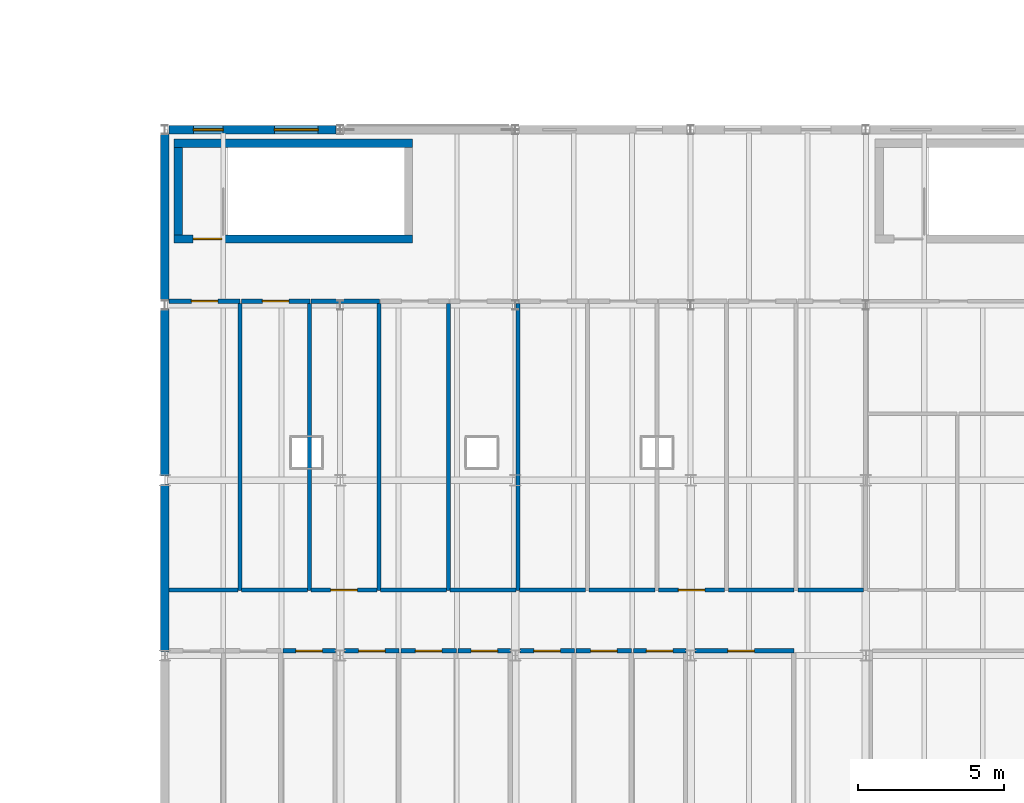
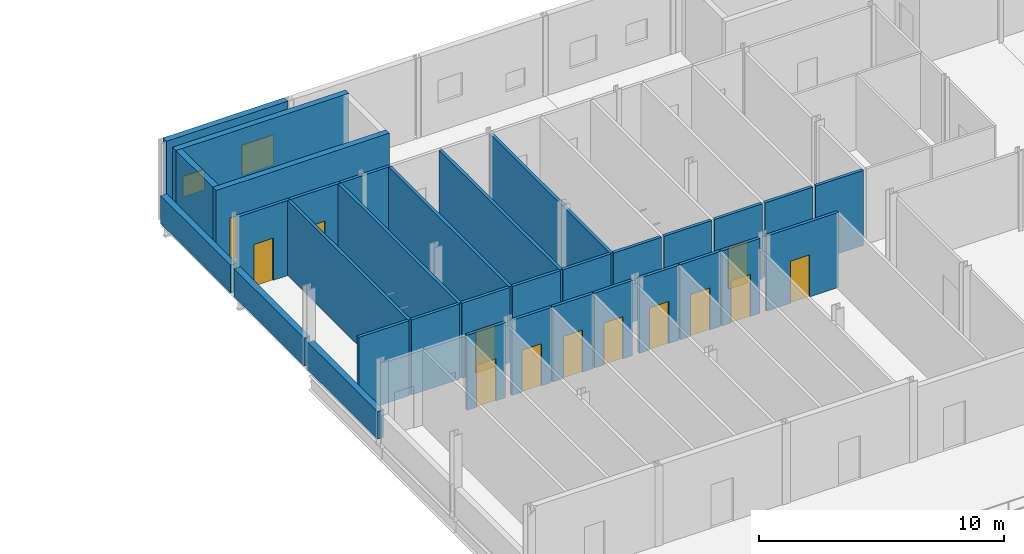
# One storey, part 31 of 45: 33 walls, 13 doors, 2 windows, 15 openings.
"""IFC4 building model written with IfcOpenShell, lengths in metres."""

from ifc_helpers import new_model, si_unit, direction, frame, frame_2d, origin, place, context, subcontext, project, spatial, rectangle, extrude, material, layer, layer_set, type_object, element, fill, save


model = new_model("IFC4")

# Units and contexts
model_context = context("Model", 3, precision=1e-05, world=origin(), true_north=direction((0.0, 1.0)))
body_context = subcontext(model_context, "Body", "Model", "MODEL_VIEW")
ifc_project = project(units=[si_unit("LENGTHUNIT", "METRE"), si_unit("AREAUNIT", "SQUARE_METRE"), si_unit("VOLUMEUNIT", "CUBIC_METRE"), si_unit("PLANEANGLEUNIT", "RADIAN"), si_unit("MASSUNIT", "GRAM", prefix="KILO")], contexts=[model_context])

# Site, building, storey
site_placement = place(None, origin())
site = spatial("IfcSite", under=ifc_project, at=site_placement, CompositionType="ELEMENT")
building_placement = place(site_placement, origin())
building = spatial("IfcBuilding", under=site, at=building_placement, Name="Siltcreek Boulevard Central Fire Station", CompositionType="ELEMENT")
storey_placement = place(building_placement, frame((0.0, 0.0, 10.0)))
storey = spatial("IfcBuildingStorey", under=building, at=storey_placement, Name="L03", CompositionType="ELEMENT", Elevation=10.0)

# Wall, opening, door
ifc_material_1 = material(Name="Concrete C40/50", Category="concrete")
ifc_layer_1 = layer(ifc_material_1, 0.280029296875, Name="Concrete C40/50")
ifc_layer_set_1 = layer_set([ifc_layer_1], Name="Concrete C40/50")
wall_type_1 = type_object("IfcWallType", Name="CW_SHEAR280", PredefinedType="SHEAR", material=ifc_layer_set_1)
wall_1_placement = place(storey_placement, frame((66.320068359375, 50.260009765625, 0.0), z_axis=(0.0, 0.0, 1.0), x_axis=(1.0, 0.0, 0.0)))
wall_1 = element("IfcWall", 1, at=wall_1_placement, inside=storey, type_object=wall_type_1, Name="L03 ST-V2C stair enclosure south shear wall", PredefinedType="SHEAR", context=body_context, shape_type="SweptSolid", body=[
    extrude(rectangle(XDim=8.159912109375, YDim=0.280029296875, at=frame_2d((4.080078125, 0.0))), origin(), (0.0, 0.0, 1.0), 3.75),
])
opening_1_placement = place(wall_1_placement, frame((0.64990234375, 0.0, 0.0)))
opening_1 = element("IfcOpeningElement", 2, at=opening_1_placement, cuts=wall_1, Name="Opening SD-017", PredefinedType="OPENING", context=body_context, shape_type="SweptSolid", body=[
    extrude(rectangle(XDim=0.97998046875, YDim=2.14990234375, at=frame_2d((0.489990234375, 1.074951171875))), frame((0.0, 0.14990234375, 0.0), z_axis=(0.0, -1.0, 0.0), x_axis=(1.0, 0.0, 0.0)), (0.0, 0.0, 1.0), 0.300048828125),
])
ifc_material_2 = material(Name="Hollow metal 90-min enclosed stair door")
door_type_1 = type_object("IfcDoorType", Name="DR_ST_098X215", OperationType="NOTDEFINED", PredefinedType="DOOR", material=ifc_material_2)
door_1_placement = place(opening_1_placement, origin())
door_1 = element("IfcDoor", 3, at=door_1_placement, inside=storey, type_object=door_type_1, Name="L03 ST-V2C enclosed exit stair door SD-017", OperationType="SINGLE_SWING_RIGHT", OverallHeight=2.14990234375, OverallWidth=0.97998046875, PredefinedType="DOOR", context=body_context, shape_type="SweptSolid", body=[
    extrude(rectangle(XDim=0.97998046875, YDim=2.14990234375, at=frame_2d((0.489990234375, 1.074951171875))), frame((0.0, 0.02490234375, 0.0), z_axis=(0.0, -1.0, 0.0), x_axis=(1.0, 0.0, 0.0)), (0.0, 0.0, 1.0), 0.050048828125),
])
fill(opening_1, door_1)

# Walls
wall_2_placement = place(storey_placement, frame((74.47998046875, 53.5400390625, 0.0), z_axis=(0.0, 0.0, 1.0), x_axis=(-1.0, 0.0, 0.0)))
element("IfcWall", 4, at=wall_2_placement, inside=storey, type_object=wall_type_1, Name="L03 ST-V2C stair enclosure north shear wall", PredefinedType="SHEAR", context=body_context, shape_type="SweptSolid", body=[
    extrude(rectangle(XDim=8.159912109375, YDim=0.280029296875, at=frame_2d((4.080078125, 0.0))), origin(), (0.0, 0.0, 1.0), 3.75),
])
wall_3_placement = place(storey_placement, frame((66.4599609375, 53.39990234375, 0.0), z_axis=(0.0, 0.0, 1.0), x_axis=(0.0, -1.0, 0.0)))
element("IfcWall", 5, at=wall_3_placement, inside=storey, type_object=wall_type_1, Name="L03 ST-V2C stair enclosure west shear wall", PredefinedType="SHEAR", context=body_context, shape_type="SweptSolid", body=[
    extrude(rectangle(XDim=3.0, YDim=0.280029296875, at=frame_2d((1.5, 0.0))), origin(), (0.0, 0.0, 1.0), 3.75),
])

# Wall, openings, windows
ifc_material_3 = material(Name="White ribbed aluminum spandrel wall", Category="aluminium")
ifc_layer_2 = layer(ifc_material_3, 0.2900390625, Name="White ribbed aluminum spandrel wall")
ifc_layer_set_2 = layer_set([ifc_layer_2], Name="White ribbed aluminum spandrel wall")
wall_type_2 = type_object("IfcWallType", Name="EW_METAL290", PredefinedType="STANDARD", material=ifc_layer_set_2)
wall_4_placement = place(storey_placement, frame((71.85498046875, 54.0, 0.0), z_axis=(0.0, 0.0, 1.0), x_axis=(-1.0, 0.0, 0.0)))
wall_4 = element("IfcWall", 6, at=wall_4_placement, inside=storey, type_object=wall_type_2, Name="L03 V2 exterior insulated rainscreen wall WL-EXT-L03-0088", PredefinedType="STANDARD", context=body_context, shape_type="SweptSolid", body=[
    extrude(rectangle(XDim=5.7099609375, YDim=0.2900390625, at=frame_2d((2.85498046875, 0.0))), origin(), (0.0, 0.0, 1.0), 4.0),
])
opening_2_placement = place(wall_4_placement, frame((0.60693359375, 0.0, 0.9599609375)))
opening_2 = element("IfcOpeningElement", 7, at=opening_2_placement, cuts=wall_4, Name="Opening WN42", PredefinedType="OPENING", context=body_context, shape_type="SweptSolid", body=[
    extrude(rectangle(XDim=1.5, YDim=1.5, at=frame_2d((0.75, 0.75))), frame((0.0, 0.155029296875, 0.0), z_axis=(0.0, -1.0, 0.0), x_axis=(1.0, 0.0, 0.0)), (0.0, 0.0, 1.0), 0.31005859375),
])
opening_3_placement = place(wall_4_placement, frame((3.855224609375, 0.0, 0.860107421875)))
opening_3 = element("IfcOpeningElement", 8, at=opening_3_placement, cuts=wall_4, Name="Opening WN38", PredefinedType="OPENING", context=body_context, shape_type="SweptSolid", body=[
    extrude(rectangle(XDim=1.02001953125, YDim=1.02001953125, at=frame_2d((0.510009765625, 0.510009765625))), frame((0.0, 0.155029296875, 0.0), z_axis=(0.0, -1.0, 0.0), x_axis=(1.0, 0.0, 0.0)), (0.0, 0.0, 1.0), 0.31005859375),
])
ifc_material_4 = material(Name="Thermally broken aluminum frame with low-E insulated glass", Category="aluminium")
window_type_1 = type_object("IfcWindowType", Name="WN_SQ_102X102", PartitioningType="SINGLE_PANEL", PredefinedType="WINDOW", material=ifc_material_4)
window_1_placement = place(opening_3_placement, origin())
window_1 = element("IfcWindow", 9, at=window_1_placement, inside=storey, type_object=window_type_1, Name="L03 V2 square exterior window WN-0068", OverallHeight=1.02001953125, OverallWidth=1.02001953125, PartitioningType="SINGLE_PANEL", PredefinedType="WINDOW", context=body_context, shape_type="SweptSolid", body=[
    extrude(rectangle(XDim=1.02001953125, YDim=1.02001953125, at=frame_2d((0.510009765625, 0.510009765625))), frame((0.0, 0.030029296875, 0.0), z_axis=(0.0, -1.0, 0.0), x_axis=(1.0, 0.0, 0.0)), (0.0, 0.0, 1.0), 0.06005859375),
])
fill(opening_3, window_1)
window_type_2 = type_object("IfcWindowType", Name="WN_SQ_150X150", PartitioningType="SINGLE_PANEL", PredefinedType="WINDOW", material=ifc_material_4)
window_2_placement = place(opening_2_placement, origin())
window_2 = element("IfcWindow", 10, at=window_2_placement, inside=storey, type_object=window_type_2, Name="L03 V2 square exterior window WN-0067", OverallHeight=1.5, OverallWidth=1.5, PartitioningType="SINGLE_PANEL", PredefinedType="WINDOW", context=body_context, shape_type="SweptSolid", body=[
    extrude(rectangle(XDim=1.5, YDim=1.5, at=frame_2d((0.75, 0.75))), frame((0.0, 0.030029296875, 0.0), z_axis=(0.0, -1.0, 0.0), x_axis=(1.0, 0.0, 0.0)), (0.0, 0.0, 1.0), 0.06005859375),
])
fill(opening_2, window_2)

# Walls
wall_5_placement = place(storey_placement, frame((66.0, 41.85498046875, 0.0), z_axis=(0.0, 0.0, 1.0), x_axis=(0.0, -1.0, 0.0)))
element("IfcWall", 11, at=wall_5_placement, inside=storey, type_object=wall_type_2, Name="L03 V2 exterior insulated rainscreen wall WL-EXT-L03-0097", PredefinedType="STANDARD", context=body_context, shape_type="SweptSolid", body=[
    extrude(rectangle(XDim=5.7099609375, YDim=0.2900390625, at=frame_2d((2.85498046875, 0.0))), origin(), (0.0, 0.0, 1.0), 1.370361328125),
])
for number, where, z_axis, x_axis, name in (
    (12, (66.0, 47.85498046875, 0.0), (0.0, 0.0, 1.0), (0.0, -1.0, 0.0), "L03 V2 exterior insulated rainscreen wall WL-EXT-L03-0098"),
    (13, (66.0, 53.85498046875, 0.0), (0.0, 0.0, 1.0), (0.0, -1.0, 0.0), "L03 V2 exterior insulated rainscreen wall WL-EXT-L03-0099"),
):
    element("IfcWall", number, at=place(storey_placement, frame(where, z_axis=z_axis, x_axis=x_axis)), inside=storey, type_object=wall_type_2, Name=name, PredefinedType="STANDARD", context=body_context, shape_type="SweptSolid", body=[
        extrude(rectangle(XDim=5.7099609375, YDim=0.2900390625, at=frame_2d((2.85498046875, 0.0))), origin(), (0.0, 0.0, 1.0), 1.39111328125),
    ])

# Wall, opening, door
ifc_material_5 = material(Name="STC-55 insulated acoustic crew bunk partition", Category="gypsum")
ifc_layer_3 = layer(ifc_material_5, 0.14501953125, Name="STC-55 insulated acoustic crew bunk partition")
ifc_layer_set_3 = layer_set([ifc_layer_3], Name="STC-55 insulated acoustic crew bunk partition")
wall_type_3 = type_object("IfcWallType", Name="IW_BUNK145", PredefinedType="PARTITIONING", material=ifc_layer_set_3)
wall_6_placement = place(storey_placement, frame((70.04248046875, 36.159912109375, 0.0), z_axis=(0.0, 0.0, 1.0), x_axis=(1.0, 0.0, 0.0)))
wall_6 = element("IfcWall", 14, at=wall_6_placement, inside=storey, type_object=wall_type_3, Name="L03 Crew Bunk Room 03 partition 0207", PredefinedType="PARTITIONING", context=body_context, shape_type="SweptSolid", body=[
    extrude(rectangle(XDim=1.800048828125, YDim=0.14501953125, at=frame_2d((0.89990234375, 0.0))), origin(), (0.0, 0.0, 1.0), 3.739990234375),
])
opening_4_placement = place(wall_6_placement, frame((0.445068359375, 0.0, 0.0)))
opening_4 = element("IfcOpeningElement", 15, at=opening_4_placement, cuts=wall_6, Name="Opening ID04", PredefinedType="OPENING", context=body_context, shape_type="SweptSolid", body=[
    extrude(rectangle(XDim=0.909912109375, YDim=2.10009765625, at=frame_2d((0.455078125, 1.050048828125))), frame((0.0, 0.08251953125, 0.0), z_axis=(0.0, -1.0, 0.0), x_axis=(1.0, 0.0, 0.0)), (0.0, 0.0, 1.0), 0.1650390625),
])
ifc_material_6 = material(Name="STC-45 acoustic crew bunk room door")
door_type_2 = type_object("IfcDoorType", Name="DR_BNK_091X210", OperationType="NOTDEFINED", PredefinedType="DOOR", material=ifc_material_6)
door_2_placement = place(opening_4_placement, frame((0.909912109375, 0.0, 0.0), z_axis=(0.0, 0.0, 1.0), x_axis=(-1.0, 0.0, 0.0)))
door_2 = element("IfcDoor", 16, at=door_2_placement, inside=storey, type_object=door_type_2, Name="L03 Crew Bunk Room 03 door ID-0095", OperationType="SINGLE_SWING_RIGHT", OverallHeight=2.10009765625, OverallWidth=0.909912109375, PredefinedType="DOOR", context=body_context, shape_type="SweptSolid", body=[
    extrude(rectangle(XDim=0.909912109375, YDim=2.10009765625, at=frame_2d((0.455078125, 1.050048828125))), frame((0.0, 0.02490234375, 0.0), z_axis=(0.0, -1.0, 0.0), x_axis=(1.0, 0.0, 0.0)), (0.0, 0.0, 1.0), 0.050048828125),
])
fill(opening_4, door_2)

wall_7_placement = place(storey_placement, frame((72.157470703125, 36.159912109375, 0.0), z_axis=(0.0, 0.0, 1.0), x_axis=(1.0, 0.0, 0.0)))
wall_7 = element("IfcWall", 17, at=wall_7_placement, inside=storey, type_object=wall_type_3, Name="L03 Crew Bunk Room 04 partition 0209", PredefinedType="PARTITIONING", context=body_context, shape_type="SweptSolid", body=[
    extrude(rectangle(XDim=1.864990234375, YDim=0.14501953125, at=frame_2d((0.9326171875, 0.0))), origin(), (0.0, 0.0, 1.0), 3.739990234375),
])
opening_5_placement = place(wall_7_placement, frame((0.4775390625, 0.0, 0.0)))
opening_5 = element("IfcOpeningElement", 18, at=opening_5_placement, cuts=wall_7, Name="Opening ID04", PredefinedType="OPENING", context=body_context, shape_type="SweptSolid", body=[
    extrude(rectangle(XDim=0.909912109375, YDim=2.10009765625, at=frame_2d((0.455078125, 1.050048828125))), frame((0.0, 0.08251953125, 0.0), z_axis=(0.0, -1.0, 0.0), x_axis=(1.0, 0.0, 0.0)), (0.0, 0.0, 1.0), 0.1650390625),
])
door_3_placement = place(opening_5_placement, frame((0.909912109375, 0.0, 0.0), z_axis=(0.0, 0.0, 1.0), x_axis=(-1.0, 0.0, 0.0)))
door_3 = element("IfcDoor", 19, at=door_3_placement, inside=storey, type_object=door_type_2, Name="L03 Crew Bunk Room 04 door ID-0096", OperationType="SINGLE_SWING_LEFT", OverallHeight=2.10009765625, OverallWidth=0.909912109375, PredefinedType="DOOR", context=body_context, shape_type="SweptSolid", body=[
    extrude(rectangle(XDim=0.909912109375, YDim=2.10009765625, at=frame_2d((0.455078125, 1.050048828125))), frame((0.0, 0.02490234375, 0.0), z_axis=(0.0, -1.0, 0.0), x_axis=(1.0, 0.0, 0.0)), (0.0, 0.0, 1.0), 0.050048828125),
])
fill(opening_5, door_3)

wall_8_placement = place(storey_placement, frame((74.08251953125, 36.159912109375, 0.0), z_axis=(0.0, 0.0, 1.0), x_axis=(1.0, 0.0, 0.0)))
wall_8 = element("IfcWall", 20, at=wall_8_placement, inside=storey, type_object=wall_type_3, Name="L03 Crew Bunk Room 05 partition 0211", PredefinedType="PARTITIONING", context=body_context, shape_type="SweptSolid", body=[
    extrude(rectangle(XDim=1.89990234375, YDim=0.14501953125, at=frame_2d((0.949951171875, 0.0))), origin(), (0.0, 0.0, 1.0), 3.739990234375),
])
opening_6_placement = place(wall_8_placement, frame((0.4951171875, 0.0, 0.0)))
opening_6 = element("IfcOpeningElement", 21, at=opening_6_placement, cuts=wall_8, Name="Opening ID04", PredefinedType="OPENING", context=body_context, shape_type="SweptSolid", body=[
    extrude(rectangle(XDim=0.909912109375, YDim=2.10009765625, at=frame_2d((0.455078125, 1.050048828125))), frame((0.0, 0.08251953125, 0.0), z_axis=(0.0, -1.0, 0.0), x_axis=(1.0, 0.0, 0.0)), (0.0, 0.0, 1.0), 0.1650390625),
])
door_4_placement = place(opening_6_placement, frame((0.909912109375, 0.0, 0.0), z_axis=(0.0, 0.0, 1.0), x_axis=(-1.0, 0.0, 0.0)))
door_4 = element("IfcDoor", 22, at=door_4_placement, inside=storey, type_object=door_type_2, Name="L03 Crew Bunk Room 05 door ID-0097", OperationType="SINGLE_SWING_RIGHT", OverallHeight=2.10009765625, OverallWidth=0.909912109375, PredefinedType="DOOR", context=body_context, shape_type="SweptSolid", body=[
    extrude(rectangle(XDim=0.909912109375, YDim=2.10009765625, at=frame_2d((0.455078125, 1.050048828125))), frame((0.0, 0.02490234375, 0.0), z_axis=(0.0, -1.0, 0.0), x_axis=(1.0, 0.0, 0.0)), (0.0, 0.0, 1.0), 0.050048828125),
])
fill(opening_6, door_4)

wall_9_placement = place(storey_placement, frame((76.04248046875, 36.159912109375, 0.0), z_axis=(0.0, 0.0, 1.0), x_axis=(1.0, 0.0, 0.0)))
wall_9 = element("IfcWall", 23, at=wall_9_placement, inside=storey, type_object=wall_type_3, Name="L03 Crew Bunk Room 06 partition 0213", PredefinedType="PARTITIONING", context=body_context, shape_type="SweptSolid", body=[
    extrude(rectangle(XDim=1.800048828125, YDim=0.14501953125, at=frame_2d((0.89990234375, 0.0))), origin(), (0.0, 0.0, 1.0), 3.739990234375),
])
opening_7_placement = place(wall_9_placement, frame((0.445068359375, 0.0, 0.0)))
opening_7 = element("IfcOpeningElement", 24, at=opening_7_placement, cuts=wall_9, Name="Opening ID04", PredefinedType="OPENING", context=body_context, shape_type="SweptSolid", body=[
    extrude(rectangle(XDim=0.909912109375, YDim=2.10009765625, at=frame_2d((0.455078125, 1.050048828125))), frame((0.0, 0.08251953125, 0.0), z_axis=(0.0, -1.0, 0.0), x_axis=(1.0, 0.0, 0.0)), (0.0, 0.0, 1.0), 0.1650390625),
])
door_5_placement = place(opening_7_placement, frame((0.909912109375, 0.0, 0.0), z_axis=(0.0, 0.0, 1.0), x_axis=(-1.0, 0.0, 0.0)))
door_5 = element("IfcDoor", 25, at=door_5_placement, inside=storey, type_object=door_type_2, Name="L03 Crew Bunk Room 06 door ID-0098", OperationType="SINGLE_SWING_LEFT", OverallHeight=2.10009765625, OverallWidth=0.909912109375, PredefinedType="DOOR", context=body_context, shape_type="SweptSolid", body=[
    extrude(rectangle(XDim=0.909912109375, YDim=2.10009765625, at=frame_2d((0.455078125, 1.050048828125))), frame((0.0, 0.02490234375, 0.0), z_axis=(0.0, -1.0, 0.0), x_axis=(1.0, 0.0, 0.0)), (0.0, 0.0, 1.0), 0.050048828125),
])
fill(opening_7, door_5)

wall_10_placement = place(storey_placement, frame((78.157470703125, 36.159912109375, 0.0), z_axis=(0.0, 0.0, 1.0), x_axis=(1.0, 0.0, 0.0)))
wall_10 = element("IfcWall", 26, at=wall_10_placement, inside=storey, type_object=wall_type_3, Name="L03 Crew Bunk Room 07 partition 0215", PredefinedType="PARTITIONING", context=body_context, shape_type="SweptSolid", body=[
    extrude(rectangle(XDim=1.864990234375, YDim=0.14501953125, at=frame_2d((0.9326171875, 0.0))), origin(), (0.0, 0.0, 1.0), 3.739990234375),
])
opening_8_placement = place(wall_10_placement, frame((0.4775390625, 0.0, 0.0)))
opening_8 = element("IfcOpeningElement", 27, at=opening_8_placement, cuts=wall_10, Name="Opening ID04", PredefinedType="OPENING", context=body_context, shape_type="SweptSolid", body=[
    extrude(rectangle(XDim=0.909912109375, YDim=2.10009765625, at=frame_2d((0.455078125, 1.050048828125))), frame((0.0, 0.08251953125, 0.0), z_axis=(0.0, -1.0, 0.0), x_axis=(1.0, 0.0, 0.0)), (0.0, 0.0, 1.0), 0.1650390625),
])
door_6_placement = place(opening_8_placement, frame((0.909912109375, 0.0, 0.0), z_axis=(0.0, 0.0, 1.0), x_axis=(-1.0, 0.0, 0.0)))
door_6 = element("IfcDoor", 28, at=door_6_placement, inside=storey, type_object=door_type_2, Name="L03 Crew Bunk Room 07 door ID-0099", OperationType="SINGLE_SWING_RIGHT", OverallHeight=2.10009765625, OverallWidth=0.909912109375, PredefinedType="DOOR", context=body_context, shape_type="SweptSolid", body=[
    extrude(rectangle(XDim=0.909912109375, YDim=2.10009765625, at=frame_2d((0.455078125, 1.050048828125))), frame((0.0, 0.02490234375, 0.0), z_axis=(0.0, -1.0, 0.0), x_axis=(1.0, 0.0, 0.0)), (0.0, 0.0, 1.0), 0.050048828125),
])
fill(opening_8, door_6)

wall_11_placement = place(storey_placement, frame((80.08251953125, 36.159912109375, 0.0), z_axis=(0.0, 0.0, 1.0), x_axis=(1.0, 0.0, 0.0)))
wall_11 = element("IfcWall", 29, at=wall_11_placement, inside=storey, type_object=wall_type_3, Name="L03 Crew Bunk Room 08 partition 0217", PredefinedType="PARTITIONING", context=body_context, shape_type="SweptSolid", body=[
    extrude(rectangle(XDim=1.89990234375, YDim=0.14501953125, at=frame_2d((0.949951171875, 0.0))), origin(), (0.0, 0.0, 1.0), 3.739990234375),
])
opening_9_placement = place(wall_11_placement, frame((0.4951171875, 0.0, 0.0)))
opening_9 = element("IfcOpeningElement", 30, at=opening_9_placement, cuts=wall_11, Name="Opening ID04", PredefinedType="OPENING", context=body_context, shape_type="SweptSolid", body=[
    extrude(rectangle(XDim=0.909912109375, YDim=2.10009765625, at=frame_2d((0.455078125, 1.050048828125))), frame((0.0, 0.08251953125, 0.0), z_axis=(0.0, -1.0, 0.0), x_axis=(1.0, 0.0, 0.0)), (0.0, 0.0, 1.0), 0.1650390625),
])
door_7_placement = place(opening_9_placement, frame((0.909912109375, 0.0, 0.0), z_axis=(0.0, 0.0, 1.0), x_axis=(-1.0, 0.0, 0.0)))
door_7 = element("IfcDoor", 31, at=door_7_placement, inside=storey, type_object=door_type_2, Name="L03 Crew Bunk Room 08 door ID-0100", OperationType="SINGLE_SWING_LEFT", OverallHeight=2.10009765625, OverallWidth=0.909912109375, PredefinedType="DOOR", context=body_context, shape_type="SweptSolid", body=[
    extrude(rectangle(XDim=0.909912109375, YDim=2.10009765625, at=frame_2d((0.455078125, 1.050048828125))), frame((0.0, 0.02490234375, 0.0), z_axis=(0.0, -1.0, 0.0), x_axis=(1.0, 0.0, 0.0)), (0.0, 0.0, 1.0), 0.050048828125),
])
fill(opening_9, door_7)

wall_12_placement = place(storey_placement, frame((82.04248046875, 36.159912109375, 0.0), z_axis=(0.0, 0.0, 1.0), x_axis=(1.0, 0.0, 0.0)))
wall_12 = element("IfcWall", 32, at=wall_12_placement, inside=storey, type_object=wall_type_3, Name="L03 Crew Bunk Room 09 partition 0219", PredefinedType="PARTITIONING", context=body_context, shape_type="SweptSolid", body=[
    extrude(rectangle(XDim=1.800048828125, YDim=0.14501953125, at=frame_2d((0.89990234375, 0.0))), origin(), (0.0, 0.0, 1.0), 3.739990234375),
])
opening_10_placement = place(wall_12_placement, frame((0.445068359375, 0.0, 0.0)))
opening_10 = element("IfcOpeningElement", 33, at=opening_10_placement, cuts=wall_12, Name="Opening ID04", PredefinedType="OPENING", context=body_context, shape_type="SweptSolid", body=[
    extrude(rectangle(XDim=0.909912109375, YDim=2.10009765625, at=frame_2d((0.455078125, 1.050048828125))), frame((0.0, 0.08251953125, 0.0), z_axis=(0.0, -1.0, 0.0), x_axis=(1.0, 0.0, 0.0)), (0.0, 0.0, 1.0), 0.1650390625),
])
door_8_placement = place(opening_10_placement, frame((0.909912109375, 0.0, 0.0), z_axis=(0.0, 0.0, 1.0), x_axis=(-1.0, 0.0, 0.0)))
door_8 = element("IfcDoor", 34, at=door_8_placement, inside=storey, type_object=door_type_2, Name="L03 Crew Bunk Room 09 door ID-0101", OperationType="SINGLE_SWING_RIGHT", OverallHeight=2.10009765625, OverallWidth=0.909912109375, PredefinedType="DOOR", context=body_context, shape_type="SweptSolid", body=[
    extrude(rectangle(XDim=0.909912109375, YDim=2.10009765625, at=frame_2d((0.455078125, 1.050048828125))), frame((0.0, 0.02490234375, 0.0), z_axis=(0.0, -1.0, 0.0), x_axis=(1.0, 0.0, 0.0)), (0.0, 0.0, 1.0), 0.050048828125),
])
fill(opening_10, door_8)

wall_13_placement = place(storey_placement, frame((84.157470703125, 36.159912109375, 0.0), z_axis=(0.0, 0.0, 1.0), x_axis=(1.0, 0.0, 0.0)))
wall_13 = element("IfcWall", 35, at=wall_13_placement, inside=storey, type_object=wall_type_3, Name="L03 Crew Bunk Room 10 partition 0221", PredefinedType="PARTITIONING", context=body_context, shape_type="SweptSolid", body=[
    extrude(rectangle(XDim=3.385009765625, YDim=0.14501953125, at=frame_2d((1.6923828125, 0.0))), origin(), (0.0, 0.0, 1.0), 3.739990234375),
])
opening_11_placement = place(wall_13_placement, frame((1.117919921875, 0.0, 0.0)))
opening_11 = element("IfcOpeningElement", 36, at=opening_11_placement, cuts=wall_13, Name="Opening ID04", PredefinedType="OPENING", context=body_context, shape_type="SweptSolid", body=[
    extrude(rectangle(XDim=0.909912109375, YDim=2.10009765625, at=frame_2d((0.455078125, 1.050048828125))), frame((0.0, 0.08251953125, 0.0), z_axis=(0.0, -1.0, 0.0), x_axis=(1.0, 0.0, 0.0)), (0.0, 0.0, 1.0), 0.1650390625),
])
door_9_placement = place(opening_11_placement, frame((0.909912109375, 0.0, 0.0), z_axis=(0.0, 0.0, 1.0), x_axis=(-1.0, 0.0, 0.0)))
door_9 = element("IfcDoor", 37, at=door_9_placement, inside=storey, type_object=door_type_2, Name="L03 Crew Bunk Room 10 door ID-0102", OperationType="SINGLE_SWING_LEFT", OverallHeight=2.10009765625, OverallWidth=0.909912109375, PredefinedType="DOOR", context=body_context, shape_type="SweptSolid", body=[
    extrude(rectangle(XDim=0.909912109375, YDim=2.10009765625, at=frame_2d((0.455078125, 1.050048828125))), frame((0.0, 0.02490234375, 0.0), z_axis=(0.0, -1.0, 0.0), x_axis=(1.0, 0.0, 0.0)), (0.0, 0.0, 1.0), 0.050048828125),
])
fill(opening_11, door_9)

wall_14_placement = place(storey_placement, frame((66.14501953125, 48.1298828125, 0.0), z_axis=(0.0, 0.0, 1.0), x_axis=(1.0, 0.0, 0.0)))
wall_14 = element("IfcWall", 38, at=wall_14_placement, inside=storey, type_object=wall_type_3, Name="L03 Crew Bunk Room 11 partition 0223", PredefinedType="PARTITIONING", context=body_context, shape_type="SweptSolid", body=[
    extrude(rectangle(XDim=2.4375, YDim=0.14501953125, at=frame_2d((1.21875, 0.0))), origin(), (0.0, 0.0, 1.0), 3.739990234375),
])
opening_12_placement = place(wall_14_placement, frame((0.763671875, 0.0, 0.0)))
opening_12 = element("IfcOpeningElement", 39, at=opening_12_placement, cuts=wall_14, Name="Opening ID04", PredefinedType="OPENING", context=body_context, shape_type="SweptSolid", body=[
    extrude(rectangle(XDim=0.909912109375, YDim=2.10009765625, at=frame_2d((0.455078125, 1.050048828125))), frame((0.0, 0.08251953125, 0.0), z_axis=(0.0, -1.0, 0.0), x_axis=(1.0, 0.0, 0.0)), (0.0, 0.0, 1.0), 0.1650390625),
])
door_10_placement = place(opening_12_placement, frame((0.909912109375, 0.0, 0.0), z_axis=(0.0, 0.0, 1.0), x_axis=(-1.0, 0.0, 0.0)))
door_10 = element("IfcDoor", 40, at=door_10_placement, inside=storey, type_object=door_type_2, Name="L03 Crew Bunk Room 11 door ID-0103", OperationType="SINGLE_SWING_RIGHT", OverallHeight=2.10009765625, OverallWidth=0.909912109375, PredefinedType="DOOR", context=body_context, shape_type="SweptSolid", body=[
    extrude(rectangle(XDim=0.909912109375, YDim=2.10009765625, at=frame_2d((0.455078125, 1.050048828125))), frame((0.0, 0.02490234375, 0.0), z_axis=(0.0, -1.0, 0.0), x_axis=(1.0, 0.0, 0.0)), (0.0, 0.0, 1.0), 0.050048828125),
])
fill(opening_12, door_10)

# Walls
wall_15_placement = place(storey_placement, frame((68.570068359375, 48.0576171875, 0.0), z_axis=(0.0, 0.0, 1.0), x_axis=(0.0, -1.0, 0.0)))
element("IfcWall", 41, at=wall_15_placement, inside=storey, type_object=wall_type_3, Name="L03 Crew Bunk Room 11 partition 0224", PredefinedType="PARTITIONING", context=body_context, shape_type="SweptSolid", body=[
    extrude(rectangle(XDim=9.830078125, YDim=0.14501953125, at=frame_2d((4.9150390625, 0.0))), origin(), (0.0, 0.0, 1.0), 3.739990234375),
])
wall_16_placement = place(storey_placement, frame((68.49755859375, 38.239990234375, 0.0), z_axis=(0.0, 0.0, 1.0), x_axis=(-1.0, 0.0, 0.0)))
element("IfcWall", 42, at=wall_16_placement, inside=storey, type_object=wall_type_3, Name="L03 Crew Bunk Room 11 partition 0225", PredefinedType="PARTITIONING", context=body_context, shape_type="SweptSolid", body=[
    extrude(rectangle(XDim=2.3525390625, YDim=0.14501953125, at=frame_2d((1.17626953125, 0.0))), origin(), (0.0, 0.0, 1.0), 3.739990234375),
])

# Wall, opening, door
wall_17_placement = place(storey_placement, frame((68.6298828125, 48.1298828125, 0.0), z_axis=(0.0, 0.0, 1.0), x_axis=(1.0, 0.0, 0.0)))
wall_17 = element("IfcWall", 43, at=wall_17_placement, inside=storey, type_object=wall_type_3, Name="L03 Crew Bunk Room 12 partition 0226", PredefinedType="PARTITIONING", context=body_context, shape_type="SweptSolid", body=[
    extrude(rectangle(XDim=2.33251953125, YDim=0.14501953125, at=frame_2d((1.166259765625, 0.0))), origin(), (0.0, 0.0, 1.0), 3.739990234375),
])
opening_13_placement = place(wall_17_placement, frame((0.711181640625, 0.0, 0.0)))
opening_13 = element("IfcOpeningElement", 44, at=opening_13_placement, cuts=wall_17, Name="Opening ID04", PredefinedType="OPENING", context=body_context, shape_type="SweptSolid", body=[
    extrude(rectangle(XDim=0.909912109375, YDim=2.10009765625, at=frame_2d((0.455078125, 1.050048828125))), frame((0.0, 0.08251953125, 0.0), z_axis=(0.0, -1.0, 0.0), x_axis=(1.0, 0.0, 0.0)), (0.0, 0.0, 1.0), 0.1650390625),
])
door_11_placement = place(opening_13_placement, frame((0.909912109375, 0.0, 0.0), z_axis=(0.0, 0.0, 1.0), x_axis=(-1.0, 0.0, 0.0)))
door_11 = element("IfcDoor", 45, at=door_11_placement, inside=storey, type_object=door_type_2, Name="L03 Crew Bunk Room 12 door ID-0104", OperationType="SINGLE_SWING_LEFT", OverallHeight=2.10009765625, OverallWidth=0.909912109375, PredefinedType="DOOR", context=body_context, shape_type="SweptSolid", body=[
    extrude(rectangle(XDim=0.909912109375, YDim=2.10009765625, at=frame_2d((0.455078125, 1.050048828125))), frame((0.0, 0.02490234375, 0.0), z_axis=(0.0, -1.0, 0.0), x_axis=(1.0, 0.0, 0.0)), (0.0, 0.0, 1.0), 0.050048828125),
])
fill(opening_13, door_11)

# Walls
wall_18_placement = place(storey_placement, frame((70.949951171875, 48.0576171875, 0.0), z_axis=(0.0, 0.0, 1.0), x_axis=(0.0, -1.0, 0.0)))
element("IfcWall", 46, at=wall_18_placement, inside=storey, type_object=wall_type_3, Name="L03 Crew Bunk Room 12 partition 0227", PredefinedType="PARTITIONING", context=body_context, shape_type="SweptSolid", body=[
    extrude(rectangle(XDim=9.830078125, YDim=0.14501953125, at=frame_2d((4.9150390625, 0.0))), origin(), (0.0, 0.0, 1.0), 3.739990234375),
])
wall_19_placement = place(storey_placement, frame((70.87744140625, 38.239990234375, 0.0), z_axis=(0.0, 0.0, 1.0), x_axis=(-1.0, 0.0, 0.0)))
element("IfcWall", 47, at=wall_19_placement, inside=storey, type_object=wall_type_3, Name="L03 Crew Bunk Room 12 partition 0228", PredefinedType="PARTITIONING", context=body_context, shape_type="SweptSolid", body=[
    extrude(rectangle(XDim=2.24755859375, YDim=0.14501953125, at=frame_2d((1.123779296875, 0.0))), origin(), (0.0, 0.0, 1.0), 3.739990234375),
])
wall_20_placement = place(storey_placement, frame((71.010009765625, 48.1298828125, 0.0), z_axis=(0.0, 0.0, 1.0), x_axis=(1.0, 0.0, 0.0)))
element("IfcWall", 48, at=wall_20_placement, inside=storey, type_object=wall_type_3, Name="L03 Crew Bunk Room 13 partition 0229", PredefinedType="PARTITIONING", context=body_context, shape_type="SweptSolid", body=[
    extrude(rectangle(XDim=2.33251953125, YDim=0.14501953125, at=frame_2d((1.166259765625, 0.0))), origin(), (0.0, 0.0, 1.0), 3.739990234375),
])
wall_21_placement = place(storey_placement, frame((73.330078125, 48.0576171875, 0.0), z_axis=(0.0, 0.0, 1.0), x_axis=(0.0, -1.0, 0.0)))
element("IfcWall", 49, at=wall_21_placement, inside=storey, type_object=wall_type_3, Name="L03 Crew Bunk Room 13 partition 0230", PredefinedType="PARTITIONING", context=body_context, shape_type="SweptSolid", body=[
    extrude(rectangle(XDim=9.830078125, YDim=0.14501953125, at=frame_2d((4.9150390625, 0.0))), origin(), (0.0, 0.0, 1.0), 3.739990234375),
])

# Wall, opening, door
wall_22_placement = place(storey_placement, frame((73.257568359375, 38.239990234375, 0.0), z_axis=(0.0, 0.0, 1.0), x_axis=(-1.0, 0.0, 0.0)))
wall_22 = element("IfcWall", 50, at=wall_22_placement, inside=storey, type_object=wall_type_3, Name="L03 Crew Bunk Room 13 partition 0231", PredefinedType="PARTITIONING", context=body_context, shape_type="SweptSolid", body=[
    extrude(rectangle(XDim=2.24755859375, YDim=0.14501953125, at=frame_2d((1.123779296875, 0.0))), origin(), (0.0, 0.0, 1.0), 3.739990234375),
])
opening_14_placement = place(wall_22_placement, frame((0.668701171875, 0.0, 0.0)))
opening_14 = element("IfcOpeningElement", 51, at=opening_14_placement, cuts=wall_22, Name="Opening ID04", PredefinedType="OPENING", context=body_context, shape_type="SweptSolid", body=[
    extrude(rectangle(XDim=0.909912109375, YDim=2.10009765625, at=frame_2d((0.455078125, 1.050048828125))), frame((0.0, 0.08251953125, 0.0), z_axis=(0.0, -1.0, 0.0), x_axis=(1.0, 0.0, 0.0)), (0.0, 0.0, 1.0), 0.1650390625),
])
door_12_placement = place(opening_14_placement, frame((0.909912109375, 0.0, 0.0), z_axis=(0.0, 0.0, 1.0), x_axis=(-1.0, 0.0, 0.0)))
door_12 = element("IfcDoor", 52, at=door_12_placement, inside=storey, type_object=door_type_2, Name="L03 Crew Bunk Room 13 door ID-0105", OperationType="SINGLE_SWING_RIGHT", OverallHeight=2.10009765625, OverallWidth=0.909912109375, PredefinedType="DOOR", context=body_context, shape_type="SweptSolid", body=[
    extrude(rectangle(XDim=0.909912109375, YDim=2.10009765625, at=frame_2d((0.455078125, 1.050048828125))), frame((0.0, 0.02490234375, 0.0), z_axis=(0.0, -1.0, 0.0), x_axis=(1.0, 0.0, 0.0)), (0.0, 0.0, 1.0), 0.050048828125),
])
fill(opening_14, door_12)

# Walls
wall_23_placement = place(storey_placement, frame((75.7099609375, 48.0576171875, 0.0), z_axis=(0.0, 0.0, 1.0), x_axis=(0.0, -1.0, 0.0)))
element("IfcWall", 53, at=wall_23_placement, inside=storey, type_object=wall_type_3, Name="L03 Crew Bunk Room 14 partition 0233", PredefinedType="PARTITIONING", context=body_context, shape_type="SweptSolid", body=[
    extrude(rectangle(XDim=9.830078125, YDim=0.14501953125, at=frame_2d((4.9150390625, 0.0))), origin(), (0.0, 0.0, 1.0), 3.739990234375),
])
wall_24_placement = place(storey_placement, frame((75.637451171875, 38.239990234375, 0.0), z_axis=(0.0, 0.0, 1.0), x_axis=(-1.0, 0.0, 0.0)))
element("IfcWall", 54, at=wall_24_placement, inside=storey, type_object=wall_type_3, Name="L03 Crew Bunk Room 14 partition 0234", PredefinedType="PARTITIONING", context=body_context, shape_type="SweptSolid", body=[
    extrude(rectangle(XDim=2.24755859375, YDim=0.14501953125, at=frame_2d((1.123779296875, 0.0))), origin(), (0.0, 0.0, 1.0), 3.739990234375),
])
wall_25_placement = place(storey_placement, frame((78.090087890625, 48.0576171875, 0.0), z_axis=(0.0, 0.0, 1.0), x_axis=(0.0, -1.0, 0.0)))
element("IfcWall", 55, at=wall_25_placement, inside=storey, type_object=wall_type_3, Name="L03 Crew Bunk Room 15 partition 0236", PredefinedType="PARTITIONING", context=body_context, shape_type="SweptSolid", body=[
    extrude(rectangle(XDim=9.830078125, YDim=0.14501953125, at=frame_2d((4.9150390625, 0.0))), origin(), (0.0, 0.0, 1.0), 3.739990234375),
])
for number, where, z_axis, x_axis, name in (
    (56, (78.017578125, 38.239990234375, 0.0), (0.0, 0.0, 1.0), (-1.0, 0.0, 0.0), "L03 Crew Bunk Room 15 partition 0237"),
    (57, (80.3974609375, 38.239990234375, 0.0), (0.0, 0.0, 1.0), (-1.0, 0.0, 0.0), "L03 Crew Bunk Room 16 partition 0240"),
    (58, (82.777587890625, 38.239990234375, 0.0), (0.0, 0.0, 1.0), (-1.0, 0.0, 0.0), "L03 Crew Bunk Room 17 partition 0243"),
):
    element("IfcWall", number, at=place(storey_placement, frame(where, z_axis=z_axis, x_axis=x_axis)), inside=storey, type_object=wall_type_3, Name=name, PredefinedType="PARTITIONING", context=body_context, shape_type="SweptSolid", body=[
        extrude(rectangle(XDim=2.24755859375, YDim=0.14501953125, at=frame_2d((1.123779296875, 0.0))), origin(), (0.0, 0.0, 1.0), 3.739990234375),
    ])

# Wall, opening, door
wall_26_placement = place(storey_placement, frame((85.157470703125, 38.239990234375, 0.0), z_axis=(0.0, 0.0, 1.0), x_axis=(-1.0, 0.0, 0.0)))
wall_26 = element("IfcWall", 59, at=wall_26_placement, inside=storey, type_object=wall_type_3, Name="L03 Crew Bunk Room 18 partition 0246", PredefinedType="PARTITIONING", context=body_context, shape_type="SweptSolid", body=[
    extrude(rectangle(XDim=2.24755859375, YDim=0.14501953125, at=frame_2d((1.123779296875, 0.0))), origin(), (0.0, 0.0, 1.0), 3.739990234375),
])
opening_15_placement = place(wall_26_placement, frame((0.668701171875, 0.0, 0.0)))
opening_15 = element("IfcOpeningElement", 60, at=opening_15_placement, cuts=wall_26, Name="Opening ID04", PredefinedType="OPENING", context=body_context, shape_type="SweptSolid", body=[
    extrude(rectangle(XDim=0.909912109375, YDim=2.10009765625, at=frame_2d((0.455078125, 1.050048828125))), frame((0.0, 0.08251953125, 0.0), z_axis=(0.0, -1.0, 0.0), x_axis=(1.0, 0.0, 0.0)), (0.0, 0.0, 1.0), 0.1650390625),
])
door_13_placement = place(opening_15_placement, frame((0.909912109375, 0.0, 0.0), z_axis=(0.0, 0.0, 1.0), x_axis=(-1.0, 0.0, 0.0)))
door_13 = element("IfcDoor", 61, at=door_13_placement, inside=storey, type_object=door_type_2, Name="L03 Crew Bunk Room 18 door ID-0110", OperationType="SINGLE_SWING_LEFT", OverallHeight=2.10009765625, OverallWidth=0.909912109375, PredefinedType="DOOR", context=body_context, shape_type="SweptSolid", body=[
    extrude(rectangle(XDim=0.909912109375, YDim=2.10009765625, at=frame_2d((0.455078125, 1.050048828125))), frame((0.0, 0.02490234375, 0.0), z_axis=(0.0, -1.0, 0.0), x_axis=(1.0, 0.0, 0.0)), (0.0, 0.0, 1.0), 0.050048828125),
])
fill(opening_15, door_13)

# Walls
for number, where, z_axis, x_axis, name in (
    (62, (87.53759765625, 38.239990234375, 0.0), (0.0, 0.0, 1.0), (-1.0, 0.0, 0.0), "L03 Crew Bunk Room 19 partition 0249"),
    (63, (89.91748046875, 38.239990234375, 0.0), (0.0, 0.0, 1.0), (-1.0, 0.0, 0.0), "L03 Crew Bunk Room 20 partition 0252"),
):
    element("IfcWall", number, at=place(storey_placement, frame(where, z_axis=z_axis, x_axis=x_axis)), inside=storey, type_object=wall_type_3, Name=name, PredefinedType="PARTITIONING", context=body_context, shape_type="SweptSolid", body=[
        extrude(rectangle(XDim=2.24755859375, YDim=0.14501953125, at=frame_2d((1.123779296875, 0.0))), origin(), (0.0, 0.0, 1.0), 3.739990234375),
    ])

save(model, "model.ifc")
